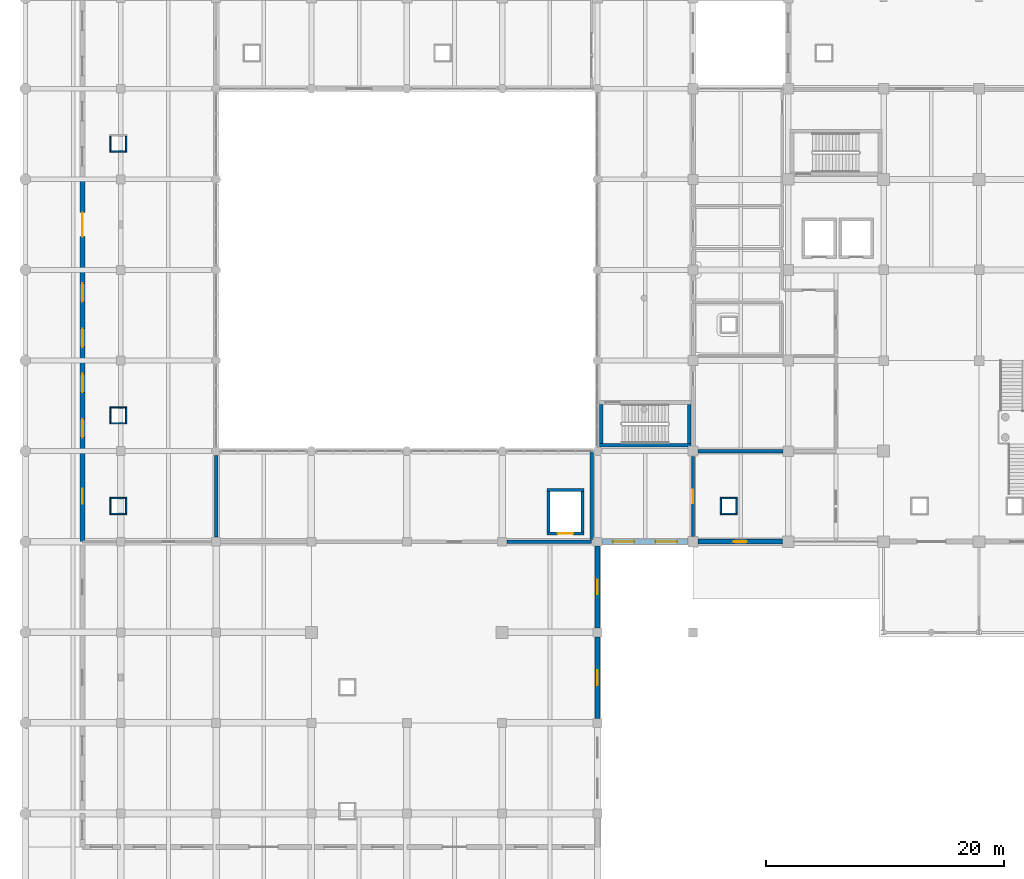
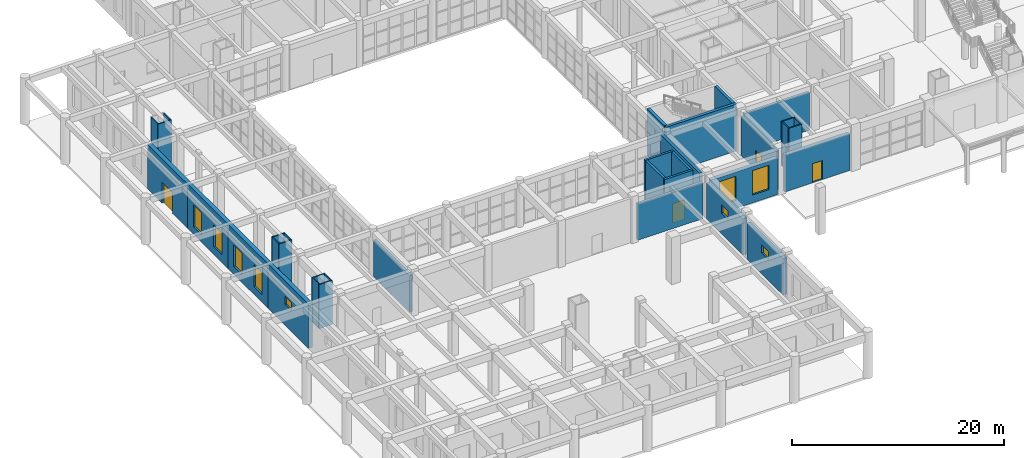
# One storey, part 70 of 95: 35 walls, 9 windows, 4 doors, 13 openings.
"""IFC4 building model written with IfcOpenShell, lengths in metres."""

from ifc_helpers import new_model, si_unit, direction, frame, frame_2d, origin, place, context, subcontext, project, spatial, rectangle, extrude, material, layer, layer_set, type_object, element, fill, save


model = new_model("IFC4")

# Units and contexts
model_context = context("Model", 3, precision=1e-05, world=origin(), true_north=direction((0.0, 1.0)))
body_context = subcontext(model_context, "Body", "Model", "MODEL_VIEW")
ifc_project = project(units=[si_unit("LENGTHUNIT", "METRE"), si_unit("AREAUNIT", "SQUARE_METRE"), si_unit("VOLUMEUNIT", "CUBIC_METRE"), si_unit("PLANEANGLEUNIT", "RADIAN"), si_unit("MASSUNIT", "GRAM", prefix="KILO")], contexts=[model_context])

# Site, building, storey
site_placement = place(None, origin())
site = spatial("IfcSite", under=ifc_project, at=site_placement, CompositionType="ELEMENT")
building_placement = place(site_placement, origin())
building = spatial("IfcBuilding", under=site, at=building_placement, Name="Zantavel Square City Hall", CompositionType="ELEMENT")
storey_placement = place(building_placement, origin())
storey = spatial("IfcBuildingStorey", under=building, at=storey_placement, Name="L01", CompositionType="ELEMENT", Elevation=0.0)

# Walls
ifc_material_1 = material(Name="Concrete C35/45", Category="concrete")
ifc_layer_1 = layer(ifc_material_1, 0.280029296875, Name="Concrete C35/45")
ifc_layer_set_1 = layer_set([ifc_layer_1], Name="Concrete C35/45")
wall_type_1 = type_object("IfcWallType", Name="Archive & Substation Vault Wall 280mm", PredefinedType="STANDARD", material=ifc_layer_set_1)
wall_1_placement = place(storey_placement, frame((47.5, 30.39990234375, 0.0), z_axis=(0.0, 0.0, 1.0), x_axis=(-1.0, 0.0, 0.0)))
element("IfcWall", 1, at=wall_1_placement, inside=storey, type_object=wall_type_1, Name="L01 Interior Wall IW-L01-0095", PredefinedType="STANDARD", context=body_context, shape_type="SweptSolid", body=[
    extrude(rectangle(XDim=7.114990234375, YDim=0.280029296875, at=frame_2d((3.5576171875, 0.0))), origin(), (0.0, 0.0, 1.0), 4.179931640625),
])
wall_2_placement = place(storey_placement, frame((16.0, 30.784912109375, 0.0), z_axis=(0.0, 0.0, 1.0), x_axis=(0.0, 1.0, 0.0)))
element("IfcWall", 2, at=wall_2_placement, inside=storey, type_object=wall_type_1, Name="L01 Interior Wall IW-L01-0099", PredefinedType="STANDARD", context=body_context, shape_type="SweptSolid", body=[
    extrude(rectangle(XDim=6.830078125, YDim=0.280029296875, at=frame_2d((3.4150390625, 0.0))), origin(), (0.0, 0.0, 1.0), 4.179931640625),
])
wall_3_placement = place(storey_placement, frame((47.5, 38.0, 0.0), z_axis=(0.0, 0.0, 1.0), x_axis=(0.0, -1.0, 0.0)))
element("IfcWall", 3, at=wall_3_placement, inside=storey, type_object=wall_type_1, Name="L01 Interior Wall IW-L01-0100", PredefinedType="STANDARD", context=body_context, shape_type="SweptSolid", body=[
    extrude(rectangle(XDim=7.409912109375, YDim=0.280029296875, at=frame_2d((3.705078125, 0.0))), origin(), (0.0, 0.0, 1.0), 5.080078125),
])
wall_4_placement = place(storey_placement, frame((56.43505859375, 38.0, 0.0), z_axis=(0.0, 0.0, 1.0), x_axis=(1.0, 0.0, 0.0)))
element("IfcWall", 4, at=wall_4_placement, inside=storey, type_object=wall_type_1, Name="L01 Interior Wall IW-L01-0119", PredefinedType="STANDARD", context=body_context, shape_type="SweptSolid", body=[
    extrude(rectangle(XDim=7.10498046875, YDim=0.280029296875, at=frame_2d((3.552490234375, 0.0))), origin(), (0.0, 0.0, 1.0), 4.360107421875),
])

# Wall, opening, door
wall_5_placement = place(storey_placement, frame((56.0, 30.8349609375, 0.0), z_axis=(0.0, 0.0, 1.0), x_axis=(0.0, 1.0, 0.0)))
wall_5 = element("IfcWall", 5, at=wall_5_placement, inside=storey, type_object=wall_type_1, Name="L01 Interior Wall IW-L01-0121", PredefinedType="STANDARD", context=body_context, shape_type="SweptSolid", body=[
    extrude(rectangle(XDim=6.72998046875, YDim=0.280029296875, at=frame_2d((3.364990234375, 0.0))), origin(), (0.0, 0.0, 1.0), 4.4599609375),
])
opening_1_placement = place(wall_5_placement, frame((2.7900390625, 0.0, 0.0)))
opening_1 = element("IfcOpeningElement", 6, at=opening_1_placement, cuts=wall_5, Name="Opening D-0045", PredefinedType="OPENING", context=body_context, shape_type="SweptSolid", body=[
    extrude(rectangle(XDim=1.14990234375, YDim=2.199951171875, at=frame_2d((0.574951171875, 1.10009765625))), frame((0.0, 0.14990234375, 0.0), z_axis=(0.0, -1.0, 0.0), x_axis=(1.0, 0.0, 0.0)), (0.0, 0.0, 1.0), 0.300048828125),
])
ifc_material_2 = material(Name="Steel ASTM A500 Grade B", Category="steel")
door_type_1 = type_object("IfcDoorType", Name="Archive & Plant Fire Door 1150x2200 FD90S", OperationType="NOTDEFINED", PredefinedType="DOOR", material=ifc_material_2)
door_1_placement = place(opening_1_placement, origin())
door_1 = element("IfcDoor", 7, at=door_1_placement, inside=storey, type_object=door_type_1, Name="L01 Fire Control Room Door", OperationType="SINGLE_SWING_LEFT", OverallHeight=2.199951171875, OverallWidth=1.14990234375, PredefinedType="DOOR", context=body_context, shape_type="SweptSolid", body=[
    extrude(rectangle(XDim=1.14990234375, YDim=2.199951171875, at=frame_2d((0.574951171875, 1.10009765625))), frame((0.0, 0.02490234375, 0.0), z_axis=(0.0, -1.0, 0.0), x_axis=(1.0, 0.0, 0.0)), (0.0, 0.0, 1.0), 0.050048828125),
])
fill(opening_1, door_1)

# Walls
ifc_material_3 = material(Name="Concrete C40/50", Category="concrete")
ifc_layer_2 = layer(ifc_material_3, 0.320068359375, Name="Concrete C40/50")
ifc_layer_set_2 = layer_set([ifc_layer_2], Name="Concrete C40/50")
wall_type_2 = type_object("IfcWallType", Name="Core Shear Wall RC 320mm C40/50", PredefinedType="SHEAR", material=ifc_layer_set_2)
wall_6_placement = place(storey_placement, frame((55.85009765625, 38.489990234375, 0.0), z_axis=(0.0, 0.0, 1.0), x_axis=(-1.0, 0.0, 0.0)))
element("IfcWall", 8, at=wall_6_placement, inside=storey, type_object=wall_type_2, Name="L01 Exit Stair 3 West Pavilion Core Shear Wall South", PredefinedType="SHEAR", context=body_context, shape_type="SweptSolid", body=[
    extrude(rectangle(XDim=7.7001953125, YDim=0.320068359375, at=frame_2d((3.85009765625, 0.0))), origin(), (0.0, 0.0, 1.0), 5.39990234375),
])
for number, where, z_axis, x_axis, name in (
    (9, (48.31005859375, 38.64990234375, 0.0), (0.0, 0.0, 1.0), (0.0, 1.0, 0.0), "L01 Exit Stair 3 West Pavilion Core Shear Wall West"),
    (10, (55.68994140625, 41.919921875, 0.0), (0.0, 0.0, 1.0), (0.0, -1.0, 0.0), "L01 Exit Stair 3 West Pavilion Core Shear Wall East"),
):
    element("IfcWall", number, at=place(storey_placement, frame(where, z_axis=z_axis, x_axis=x_axis)), inside=storey, type_object=wall_type_2, Name=name, PredefinedType="SHEAR", context=body_context, shape_type="SweptSolid", body=[
        extrude(rectangle(XDim=3.27001953125, YDim=0.320068359375, at=frame_2d((1.635009765625, 0.0))), origin(), (0.0, 0.0, 1.0), 5.39990234375),
    ])

# Wall, opening, door
ifc_material_4 = material(Name="Cantera volcanic tuff stone", Category="masonry")
ifc_layer_3 = layer(ifc_material_4, 0.419921875, Name="Cantera volcanic tuff stone")
ifc_layer_set_3 = layer_set([ifc_layer_3], Name="Cantera volcanic tuff stone")
wall_type_3 = type_object("IfcWallType", Name="Forecourt Colonnade Ashlar Wall 420mm", PredefinedType="STANDARD", material=ifc_layer_set_3)
wall_7_placement = place(storey_placement, frame((63.52490234375, 30.39990234375, 0.0), z_axis=(0.0, 0.0, 1.0), x_axis=(-1.0, 0.0, 0.0)))
wall_7 = element("IfcWall", 11, at=wall_7_placement, inside=storey, type_object=wall_type_3, Name="L01 Exterior Wall EW-L01-081", PredefinedType="STANDARD", context=body_context, shape_type="SweptSolid", body=[
    extrude(rectangle(XDim=7.099853515625, YDim=0.419921875, at=frame_2d((3.5498046875, 0.0))), origin(), (0.0, 0.0, 1.0), 4.2099609375),
])
opening_2_placement = place(wall_7_placement, frame((3.0, 0.0, 0.0)))
opening_2 = element("IfcOpeningElement", 12, at=opening_2_placement, cuts=wall_7, Name="Opening ED-014", PredefinedType="OPENING", context=body_context, shape_type="SweptSolid", body=[
    extrude(rectangle(XDim=1.10009765625, YDim=2.199951171875, at=frame_2d((0.550048828125, 1.10009765625))), frame((0.0, 0.219970703125, 0.0), z_axis=(0.0, -1.0, 0.0), x_axis=(1.0, 0.0, 0.0)), (0.0, 0.0, 1.0), 0.43994140625),
])
door_type_2 = type_object("IfcDoorType", Name="Fire Control Direct Exterior Door 1100x2200", OperationType="NOTDEFINED", PredefinedType="DOOR", material=ifc_material_2)
door_2_placement = place(opening_2_placement, origin())
door_2 = element("IfcDoor", 13, at=door_2_placement, inside=storey, type_object=door_type_2, Name="Fire Control Room Exterior Access Door", OperationType="SINGLE_SWING_LEFT", OverallHeight=2.199951171875, OverallWidth=1.10009765625, PredefinedType="DOOR", context=body_context, shape_type="SweptSolid", body=[
    extrude(rectangle(XDim=1.10009765625, YDim=2.199951171875, at=frame_2d((0.550048828125, 1.10009765625))), frame((0.0, 0.02490234375, 0.0), z_axis=(0.0, -1.0, 0.0), x_axis=(1.0, 0.0, 0.0)), (0.0, 0.0, 1.0), 0.050048828125),
])
fill(opening_2, door_2)

ifc_layer_4 = layer(ifc_material_3, 0.25, Name="Concrete C40/50")
ifc_layer_set_4 = layer_set([ifc_layer_4], Name="Concrete C40/50")
wall_type_4 = type_object("IfcWallType", Name="Lift Shaft Wall RC 250mm C40/50", PredefinedType="SHEAR", material=ifc_layer_set_4)
wall_8_placement = place(storey_placement, frame((46.85009765625, 31.074951171875, 0.0), z_axis=(0.0, 0.0, 1.0), x_axis=(-1.0, 0.0, 0.0)))
wall_8 = element("IfcWall", 14, at=wall_8_placement, inside=storey, type_object=wall_type_4, Name="L01 Lift LF08 Shaft Wall South", PredefinedType="SHEAR", context=body_context, shape_type="SweptSolid", body=[
    extrude(rectangle(XDim=3.10009765625, YDim=0.25, at=frame_2d((1.550048828125, 0.0))), origin(), (0.0, 0.0, 1.0), 5.39990234375),
])
opening_3_placement = place(wall_8_placement, frame((0.89990234375, 0.0, 0.0)))
opening_3 = element("IfcOpeningElement", 15, at=opening_3_placement, cuts=wall_8, Name="Opening LD-LF08-L01", PredefinedType="OPENING", context=body_context, shape_type="SweptSolid", body=[
    extrude(rectangle(XDim=1.300048828125, YDim=2.25, at=frame_2d((0.64990234375, 1.125))), frame((0.0, 0.135009765625, 0.0), z_axis=(0.0, -1.0, 0.0), x_axis=(1.0, 0.0, 0.0)), (0.0, 0.0, 1.0), 0.27001953125),
])
ifc_material_5 = material(Name="Stainless steel 316", Category="steel")
door_type_3 = type_object("IfcDoorType", Name="Goods Lift Landing Sliding Door 1300x2250 FD90S", OperationType="NOTDEFINED", PredefinedType="DOOR", material=ifc_material_5)
door_3_placement = place(opening_3_placement, origin())
door_3 = element("IfcDoor", 16, at=door_3_placement, inside=storey, type_object=door_type_3, Name="L01 Lift LF08 Sliding Landing Door", OperationType="DOUBLE_DOOR_SLIDING", OverallHeight=2.25, OverallWidth=1.300048828125, PredefinedType="DOOR", context=body_context, shape_type="SweptSolid", body=[
    extrude(rectangle(XDim=1.300048828125, YDim=2.25, at=frame_2d((0.64990234375, 1.125))), frame((0.0, 0.02490234375, 0.0), z_axis=(0.0, -1.0, 0.0), x_axis=(1.0, 0.0, 0.0)), (0.0, 0.0, 1.0), 0.050048828125),
])
fill(opening_3, door_3)

# Walls
wall_9_placement = place(storey_placement, frame((43.875, 31.199951171875, 0.0), z_axis=(0.0, 0.0, 1.0), x_axis=(0.0, 1.0, 0.0)))
element("IfcWall", 17, at=wall_9_placement, inside=storey, type_object=wall_type_4, Name="L01 Lift LF08 Shaft Wall West", PredefinedType="SHEAR", context=body_context, shape_type="SweptSolid", body=[
    extrude(rectangle(XDim=3.400146484375, YDim=0.25, at=frame_2d((1.7001953125, 0.0))), origin(), (0.0, 0.0, 1.0), 5.39990234375),
])
wall_10_placement = place(storey_placement, frame((43.75, 34.72509765625, 0.0), z_axis=(0.0, 0.0, 1.0), x_axis=(1.0, 0.0, 0.0)))
element("IfcWall", 18, at=wall_10_placement, inside=storey, type_object=wall_type_4, Name="L01 Lift LF08 Shaft Wall North", PredefinedType="SHEAR", context=body_context, shape_type="SweptSolid", body=[
    extrude(rectangle(XDim=3.10009765625, YDim=0.25, at=frame_2d((1.550048828125, 0.0))), origin(), (0.0, 0.0, 1.0), 5.39990234375),
])
wall_11_placement = place(storey_placement, frame((46.72509765625, 34.60009765625, 0.0), z_axis=(0.0, 0.0, 1.0), x_axis=(0.0, -1.0, 0.0)))
element("IfcWall", 19, at=wall_11_placement, inside=storey, type_object=wall_type_4, Name="L01 Lift LF08 Shaft Wall East", PredefinedType="SHEAR", context=body_context, shape_type="SweptSolid", body=[
    extrude(rectangle(XDim=3.400146484375, YDim=0.25, at=frame_2d((1.7001953125, 0.0))), origin(), (0.0, 0.0, 1.0), 5.39990234375),
])
ifc_layer_5 = layer(ifc_material_1, 0.1201171875, Name="Concrete C35/45")
ifc_layer_set_5 = layer_set([ifc_layer_5], Name="Concrete C35/45")
wall_type_5 = type_object("IfcWallType", Name="Riser Chase Wall RC 120mm C35/45", PredefinedType="PARTITIONING", material=ifc_layer_set_5)
wall_12_placement = place(storey_placement, frame((59.719970703125, 32.739990234375, 0.0), z_axis=(0.0, 0.0, 1.0), x_axis=(-1.0, 0.0, 0.0)))
element("IfcWall", 20, at=wall_12_placement, inside=storey, type_object=wall_type_5, Name="L01 MEP Riser 01 Wall S", PredefinedType="PARTITIONING", context=body_context, shape_type="SweptSolid", body=[
    extrude(rectangle(XDim=1.43994140625, YDim=0.1201171875, at=frame_2d((0.719970703125, 0.0))), origin(), (0.0, 0.0, 1.0), 5.159912109375),
])
wall_13_placement = place(storey_placement, frame((58.340087890625, 32.800048828125, 0.0), z_axis=(0.0, 0.0, 1.0), x_axis=(0.0, 1.0, 0.0)))
element("IfcWall", 21, at=wall_13_placement, inside=storey, type_object=wall_type_5, Name="L01 MEP Riser 01 Wall W", PredefinedType="PARTITIONING", context=body_context, shape_type="SweptSolid", body=[
    extrude(rectangle(XDim=1.199951171875, YDim=0.1201171875, at=frame_2d((0.60009765625, 0.0))), origin(), (0.0, 0.0, 1.0), 5.159912109375),
])
wall_14_placement = place(storey_placement, frame((58.280029296875, 34.06005859375, 0.0), z_axis=(0.0, 0.0, 1.0), x_axis=(1.0, 0.0, 0.0)))
element("IfcWall", 22, at=wall_14_placement, inside=storey, type_object=wall_type_5, Name="L01 MEP Riser 01 Wall N", PredefinedType="PARTITIONING", context=body_context, shape_type="SweptSolid", body=[
    extrude(rectangle(XDim=1.43994140625, YDim=0.1201171875, at=frame_2d((0.719970703125, 0.0))), origin(), (0.0, 0.0, 1.0), 5.159912109375),
])
wall_15_placement = place(storey_placement, frame((59.659912109375, 34.0, 0.0), z_axis=(0.0, 0.0, 1.0), x_axis=(0.0, -1.0, 0.0)))
element("IfcWall", 23, at=wall_15_placement, inside=storey, type_object=wall_type_5, Name="L01 MEP Riser 01 Wall E", PredefinedType="PARTITIONING", context=body_context, shape_type="SweptSolid", body=[
    extrude(rectangle(XDim=1.199951171875, YDim=0.1201171875, at=frame_2d((0.60009765625, 0.0))), origin(), (0.0, 0.0, 1.0), 5.159912109375),
])
wall_16_placement = place(storey_placement, frame((8.52001953125, 32.739990234375, 0.0), z_axis=(0.0, 0.0, 1.0), x_axis=(-1.0, 0.0, 0.0)))
element("IfcWall", 24, at=wall_16_placement, inside=storey, type_object=wall_type_5, Name="L01 MEP Riser 16 Wall S", PredefinedType="PARTITIONING", context=body_context, shape_type="SweptSolid", body=[
    extrude(rectangle(XDim=1.43994140625, YDim=0.1201171875, at=frame_2d((0.719970703125, 0.0))), origin(), (0.0, 0.0, 1.0), 5.080078125),
])
wall_17_placement = place(storey_placement, frame((7.139892578125, 32.800048828125, 0.0), z_axis=(0.0, 0.0, 1.0), x_axis=(0.0, 1.0, 0.0)))
element("IfcWall", 25, at=wall_17_placement, inside=storey, type_object=wall_type_5, Name="L01 MEP Riser 16 Wall W", PredefinedType="PARTITIONING", context=body_context, shape_type="SweptSolid", body=[
    extrude(rectangle(XDim=1.199951171875, YDim=0.1201171875, at=frame_2d((0.60009765625, 0.0))), origin(), (0.0, 0.0, 1.0), 5.14990234375),
])
wall_18_placement = place(storey_placement, frame((7.080078125, 34.06005859375, 0.0), z_axis=(0.0, 0.0, 1.0), x_axis=(1.0, 0.0, 0.0)))
element("IfcWall", 26, at=wall_18_placement, inside=storey, type_object=wall_type_5, Name="L01 MEP Riser 16 Wall N", PredefinedType="PARTITIONING", context=body_context, shape_type="SweptSolid", body=[
    extrude(rectangle(XDim=1.43994140625, YDim=0.1201171875, at=frame_2d((0.719970703125, 0.0))), origin(), (0.0, 0.0, 1.0), 5.080078125),
])
wall_19_placement = place(storey_placement, frame((8.4599609375, 34.0, 0.0), z_axis=(0.0, 0.0, 1.0), x_axis=(0.0, -1.0, 0.0)))
element("IfcWall", 27, at=wall_19_placement, inside=storey, type_object=wall_type_5, Name="L01 MEP Riser 16 Wall E", PredefinedType="PARTITIONING", context=body_context, shape_type="SweptSolid", body=[
    extrude(rectangle(XDim=1.199951171875, YDim=0.1201171875, at=frame_2d((0.60009765625, 0.0))), origin(), (0.0, 0.0, 1.0), 5.080078125),
])
wall_20_placement = place(storey_placement, frame((8.52001953125, 40.340087890625, 0.0), z_axis=(0.0, 0.0, 1.0), x_axis=(-1.0, 0.0, 0.0)))
element("IfcWall", 28, at=wall_20_placement, inside=storey, type_object=wall_type_5, Name="L01 MEP Riser 17 Wall S", PredefinedType="PARTITIONING", context=body_context, shape_type="SweptSolid", body=[
    extrude(rectangle(XDim=1.43994140625, YDim=0.1201171875, at=frame_2d((0.719970703125, 0.0))), origin(), (0.0, 0.0, 1.0), 5.14990234375),
])
wall_21_placement = place(storey_placement, frame((7.139892578125, 40.39990234375, 0.0), z_axis=(0.0, 0.0, 1.0), x_axis=(0.0, 1.0, 0.0)))
element("IfcWall", 29, at=wall_21_placement, inside=storey, type_object=wall_type_5, Name="L01 MEP Riser 17 Wall W", PredefinedType="PARTITIONING", context=body_context, shape_type="SweptSolid", body=[
    extrude(rectangle(XDim=1.2001953125, YDim=0.1201171875, at=frame_2d((0.60009765625, 0.0))), origin(), (0.0, 0.0, 1.0), 5.14990234375),
])
wall_22_placement = place(storey_placement, frame((7.080078125, 41.659912109375, 0.0), z_axis=(0.0, 0.0, 1.0), x_axis=(1.0, 0.0, 0.0)))
element("IfcWall", 30, at=wall_22_placement, inside=storey, type_object=wall_type_5, Name="L01 MEP Riser 17 Wall N", PredefinedType="PARTITIONING", context=body_context, shape_type="SweptSolid", body=[
    extrude(rectangle(XDim=1.43994140625, YDim=0.1201171875, at=frame_2d((0.719970703125, 0.0))), origin(), (0.0, 0.0, 1.0), 5.14990234375),
])
wall_23_placement = place(storey_placement, frame((8.4599609375, 41.60009765625, 0.0), z_axis=(0.0, 0.0, 1.0), x_axis=(0.0, -1.0, 0.0)))
element("IfcWall", 31, at=wall_23_placement, inside=storey, type_object=wall_type_5, Name="L01 MEP Riser 17 Wall E", PredefinedType="PARTITIONING", context=body_context, shape_type="SweptSolid", body=[
    extrude(rectangle(XDim=1.2001953125, YDim=0.1201171875, at=frame_2d((0.60009765625, 0.0))), origin(), (0.0, 0.0, 1.0), 5.159912109375),
])
wall_24_placement = place(storey_placement, frame((8.52001953125, 63.139892578125, 0.0), z_axis=(0.0, 0.0, 1.0), x_axis=(-1.0, 0.0, 0.0)))
element("IfcWall", 32, at=wall_24_placement, inside=storey, type_object=wall_type_5, Name="L01 MEP Riser 18 Wall S", PredefinedType="PARTITIONING", context=body_context, shape_type="SweptSolid", body=[
    extrude(rectangle(XDim=1.43994140625, YDim=0.1201171875, at=frame_2d((0.719970703125, 0.0))), origin(), (0.0, 0.0, 1.0), 5.14990234375),
])
wall_25_placement = place(storey_placement, frame((7.139892578125, 63.199951171875, 0.0), z_axis=(0.0, 0.0, 1.0), x_axis=(0.0, 1.0, 0.0)))
element("IfcWall", 33, at=wall_25_placement, inside=storey, type_object=wall_type_5, Name="L01 MEP Riser 18 Wall W", PredefinedType="PARTITIONING", context=body_context, shape_type="SweptSolid", body=[
    extrude(rectangle(XDim=1.199951171875, YDim=0.1201171875, at=frame_2d((0.60009765625, 0.0))), origin(), (0.0, 0.0, 1.0), 5.14990234375),
])
wall_26_placement = place(storey_placement, frame((8.4599609375, 64.39990234375, 0.0), z_axis=(0.0, 0.0, 1.0), x_axis=(0.0, -1.0, 0.0)))
element("IfcWall", 34, at=wall_26_placement, inside=storey, type_object=wall_type_5, Name="L01 MEP Riser 18 Wall E", PredefinedType="PARTITIONING", context=body_context, shape_type="SweptSolid", body=[
    extrude(rectangle(XDim=1.199951171875, YDim=0.1201171875, at=frame_2d((0.60009765625, 0.0))), origin(), (0.0, 0.0, 1.0), 5.159912109375),
])

# Wall, openings, windows
ifc_material_6 = material(Name="Tezontle volcanic basaltic scoria stone", Category="masonry")
ifc_layer_6 = layer(ifc_material_6, 0.43994140625, Name="Tezontle volcanic basaltic scoria stone")
ifc_layer_set_6 = layer_set([ifc_layer_6], Name="Tezontle volcanic basaltic scoria stone")
wall_type_6 = type_object("IfcWallType", Name="Tezontle Rusticated Plinth Wall 440mm", PredefinedType="STANDARD", material=ifc_layer_set_6)
wall_27_placement = place(storey_placement, frame((55.574951171875, 30.39990234375, 0.0), z_axis=(0.0, 0.0, 1.0), x_axis=(-1.0, 0.0, 0.0)))
wall_27 = element("IfcWall", 35, at=wall_27_placement, inside=storey, type_object=wall_type_6, Name="L01 Exterior Wall EW-L01-082", PredefinedType="STANDARD", context=body_context, shape_type="SweptSolid", body=[
    extrude(rectangle(XDim=7.199951171875, YDim=0.43994140625, at=frame_2d((3.60009765625, 0.0))), origin(), (0.0, 0.0, 1.0), 4.179931640625),
])
opening_4_placement = place(wall_27_placement, frame((0.89990234375, 0.0, 0.89990234375)))
opening_4 = element("IfcOpeningElement", 36, at=opening_4_placement, cuts=wall_27, Name="Opening W-114", PredefinedType="OPENING", context=body_context, shape_type="SweptSolid", body=[
    extrude(rectangle(XDim=1.800048828125, YDim=2.800048828125, at=frame_2d((0.89990234375, 1.39990234375))), frame((0.0, 0.22998046875, 0.0), z_axis=(0.0, -1.0, 0.0), x_axis=(1.0, 0.0, 0.0)), (0.0, 0.0, 1.0), 0.4599609375),
])
opening_5_placement = place(wall_27_placement, frame((4.5, 0.0, 0.89990234375)))
opening_5 = element("IfcOpeningElement", 37, at=opening_5_placement, cuts=wall_27, Name="Opening W-115", PredefinedType="OPENING", context=body_context, shape_type="SweptSolid", body=[
    extrude(rectangle(XDim=1.800048828125, YDim=2.800048828125, at=frame_2d((0.89990234375, 1.39990234375))), frame((0.0, 0.22998046875, 0.0), z_axis=(0.0, -1.0, 0.0), x_axis=(1.0, 0.0, 0.0)), (0.0, 0.0, 1.0), 0.4599609375),
])
ifc_material_7 = material(Name="Tempered safety glass low-E double glazing", Category="glass")
window_type_1 = type_object("IfcWindowType", Name="Window Portales Grand Arch 1800x2800", PartitioningType="DOUBLE_PANEL_VERTICAL", PredefinedType="WINDOW", material=ifc_material_7)
window_1_placement = place(opening_4_placement, origin())
window_1 = element("IfcWindow", 38, at=window_1_placement, inside=storey, type_object=window_type_1, Name="L01 Window W-114", OverallHeight=2.800048828125, OverallWidth=1.800048828125, PartitioningType="DOUBLE_PANEL_VERTICAL", PredefinedType="WINDOW", context=body_context, shape_type="SweptSolid", body=[
    extrude(rectangle(XDim=1.800048828125, YDim=2.800048828125, at=frame_2d((0.89990234375, 1.39990234375))), frame((0.0, 0.030029296875, 0.0), z_axis=(0.0, -1.0, 0.0), x_axis=(1.0, 0.0, 0.0)), (0.0, 0.0, 1.0), 0.06005859375),
])
fill(opening_4, window_1)
window_2_placement = place(opening_5_placement, origin())
window_2 = element("IfcWindow", 39, at=window_2_placement, inside=storey, type_object=window_type_1, Name="L01 Window W-115", OverallHeight=2.800048828125, OverallWidth=1.800048828125, PartitioningType="DOUBLE_PANEL_VERTICAL", PredefinedType="WINDOW", context=body_context, shape_type="SweptSolid", body=[
    extrude(rectangle(XDim=1.800048828125, YDim=2.800048828125, at=frame_2d((0.89990234375, 1.39990234375))), frame((0.0, 0.030029296875, 0.0), z_axis=(0.0, -1.0, 0.0), x_axis=(1.0, 0.0, 0.0)), (0.0, 0.0, 1.0), 0.06005859375),
])
fill(opening_5, window_2)

# Wall, opening, window
wall_28_placement = place(storey_placement, frame((48.0, 30.02490234375, 0.0), z_axis=(0.0, 0.0, 1.0), x_axis=(0.0, -1.0, 0.0)))
wall_28 = element("IfcWall", 40, at=wall_28_placement, inside=storey, type_object=wall_type_6, Name="L01 Exterior Wall EW-L01-083", PredefinedType="STANDARD", context=body_context, shape_type="SweptSolid", body=[
    extrude(rectangle(XDim=6.849853515625, YDim=0.43994140625, at=frame_2d((3.4248046875, 0.0))), origin(), (0.0, 0.0, 1.0), 4.179931640625),
])
opening_6_placement = place(wall_28_placement, frame((2.800048828125, 0.0, 2.39990234375)))
opening_6 = element("IfcOpeningElement", 41, at=opening_6_placement, cuts=wall_28, Name="Opening W-116", PredefinedType="OPENING", context=body_context, shape_type="SweptSolid", body=[
    extrude(rectangle(XDim=1.25, YDim=0.949951171875, at=frame_2d((0.625, 0.47509765625))), frame((0.0, 0.22998046875, 0.0), z_axis=(0.0, -1.0, 0.0), x_axis=(1.0, 0.0, 0.0)), (0.0, 0.0, 1.0), 0.4599609375),
])
window_type_2 = type_object("IfcWindowType", Name="Window Archive High Clerestory 1250x950", PartitioningType="SINGLE_PANEL", PredefinedType="WINDOW", material=ifc_material_7)
window_3_placement = place(opening_6_placement, origin())
window_3 = element("IfcWindow", 42, at=window_3_placement, inside=storey, type_object=window_type_2, Name="L01 Window W-116", OverallHeight=0.949951171875, OverallWidth=1.25, PartitioningType="SINGLE_PANEL", PredefinedType="WINDOW", context=body_context, shape_type="SweptSolid", body=[
    extrude(rectangle(XDim=1.25, YDim=0.949951171875, at=frame_2d((0.625, 0.47509765625))), frame((0.0, 0.030029296875, 0.0), z_axis=(0.0, -1.0, 0.0), x_axis=(1.0, 0.0, 0.0)), (0.0, 0.0, 1.0), 0.06005859375),
])
fill(opening_6, window_3)

wall_29_placement = place(storey_placement, frame((48.0, 22.425048828125, 0.0), z_axis=(0.0, 0.0, 1.0), x_axis=(0.0, -1.0, 0.0)))
wall_29 = element("IfcWall", 43, at=wall_29_placement, inside=storey, type_object=wall_type_6, Name="L01 Exterior Wall EW-L01-084", PredefinedType="STANDARD", context=body_context, shape_type="SweptSolid", body=[
    extrude(rectangle(XDim=6.85009765625, YDim=0.43994140625, at=frame_2d((3.425048828125, 0.0))), origin(), (0.0, 0.0, 1.0), 4.179931640625),
])
opening_7_placement = place(wall_29_placement, frame((2.800048828125, 0.0, 2.39990234375)))
opening_7 = element("IfcOpeningElement", 44, at=opening_7_placement, cuts=wall_29, Name="Opening W-117", PredefinedType="OPENING", context=body_context, shape_type="SweptSolid", body=[
    extrude(rectangle(XDim=1.25, YDim=0.949951171875, at=frame_2d((0.625, 0.47509765625))), frame((0.0, 0.22998046875, 0.0), z_axis=(0.0, -1.0, 0.0), x_axis=(1.0, 0.0, 0.0)), (0.0, 0.0, 1.0), 0.4599609375),
])
window_4_placement = place(opening_7_placement, origin())
window_4 = element("IfcWindow", 45, at=window_4_placement, inside=storey, type_object=window_type_2, Name="L01 Window W-117", OverallHeight=0.949951171875, OverallWidth=1.25, PartitioningType="SINGLE_PANEL", PredefinedType="WINDOW", context=body_context, shape_type="SweptSolid", body=[
    extrude(rectangle(XDim=1.25, YDim=0.949951171875, at=frame_2d((0.625, 0.47509765625))), frame((0.0, 0.030029296875, 0.0), z_axis=(0.0, -1.0, 0.0), x_axis=(1.0, 0.0, 0.0)), (0.0, 0.0, 1.0), 0.06005859375),
])
fill(opening_7, window_4)

wall_30_placement = place(storey_placement, frame((4.800048828125, 30.39990234375, 0.0), z_axis=(0.0, 0.0, 1.0), x_axis=(0.0, 1.0, 0.0)))
wall_30 = element("IfcWall", 46, at=wall_30_placement, inside=storey, type_object=wall_type_6, Name="L01 Exterior Wall EW-L01-097", PredefinedType="STANDARD", context=body_context, shape_type="SweptSolid", body=[
    extrude(rectangle(XDim=7.60009765625, YDim=0.43994140625, at=frame_2d((3.800048828125, 0.0))), origin(), (0.0, 0.0, 1.0), 5.1201171875),
])
opening_8_placement = place(wall_30_placement, frame((3.175048828125, 0.0, 2.39990234375)))
opening_8 = element("IfcOpeningElement", 47, at=opening_8_placement, cuts=wall_30, Name="Opening W-132", PredefinedType="OPENING", context=body_context, shape_type="SweptSolid", body=[
    extrude(rectangle(XDim=1.25, YDim=0.949951171875, at=frame_2d((0.625, 0.47509765625))), frame((0.0, 0.22998046875, 0.0), z_axis=(0.0, -1.0, 0.0), x_axis=(1.0, 0.0, 0.0)), (0.0, 0.0, 1.0), 0.4599609375),
])
window_5_placement = place(opening_8_placement, origin())
window_5 = element("IfcWindow", 48, at=window_5_placement, inside=storey, type_object=window_type_2, Name="L01 Window W-132", OverallHeight=0.949951171875, OverallWidth=1.25, PartitioningType="SINGLE_PANEL", PredefinedType="WINDOW", context=body_context, shape_type="SweptSolid", body=[
    extrude(rectangle(XDim=1.25, YDim=0.949951171875, at=frame_2d((0.625, 0.47509765625))), frame((0.0, 0.030029296875, 0.0), z_axis=(0.0, -1.0, 0.0), x_axis=(1.0, 0.0, 0.0)), (0.0, 0.0, 1.0), 0.06005859375),
])
fill(opening_8, window_5)

# Wall, openings, windows
wall_31_placement = place(storey_placement, frame((4.800048828125, 38.0, 0.0), z_axis=(0.0, 0.0, 1.0), x_axis=(0.0, 1.0, 0.0)))
wall_31 = element("IfcWall", 49, at=wall_31_placement, inside=storey, type_object=wall_type_6, Name="L01 Exterior Wall EW-L01-098", PredefinedType="STANDARD", context=body_context, shape_type="SweptSolid", body=[
    extrude(rectangle(XDim=7.60009765625, YDim=0.43994140625, at=frame_2d((3.800048828125, 0.0))), origin(), (0.0, 0.0, 1.0), 5.1201171875),
])
opening_9_placement = place(wall_31_placement, frame((1.125, 0.0, 0.89990234375)))
opening_9 = element("IfcOpeningElement", 50, at=opening_9_placement, cuts=wall_31, Name="Opening W-133", PredefinedType="OPENING", context=body_context, shape_type="SweptSolid", body=[
    extrude(rectangle(XDim=1.550048828125, YDim=2.5, at=frame_2d((0.77490234375, 1.25))), frame((0.0, 0.22998046875, 0.0), z_axis=(0.0, -1.0, 0.0), x_axis=(1.0, 0.0, 0.0)), (0.0, 0.0, 1.0), 0.4599609375),
])
opening_10_placement = place(wall_31_placement, frame((4.925048828125, 0.0, 0.89990234375)))
opening_10 = element("IfcOpeningElement", 51, at=opening_10_placement, cuts=wall_31, Name="Opening W-134", PredefinedType="OPENING", context=body_context, shape_type="SweptSolid", body=[
    extrude(rectangle(XDim=1.550048828125, YDim=2.5, at=frame_2d((0.77490234375, 1.25))), frame((0.0, 0.22998046875, 0.0), z_axis=(0.0, -1.0, 0.0), x_axis=(1.0, 0.0, 0.0)), (0.0, 0.0, 1.0), 0.4599609375),
])
window_type_3 = type_object("IfcWindowType", Name="Window Ground Annex 1550x2500", PartitioningType="DOUBLE_PANEL_VERTICAL", PredefinedType="WINDOW", material=ifc_material_7)
window_6_placement = place(opening_9_placement, origin())
window_6 = element("IfcWindow", 52, at=window_6_placement, inside=storey, type_object=window_type_3, Name="L01 Window W-133", OverallHeight=2.5, OverallWidth=1.550048828125, PartitioningType="DOUBLE_PANEL_VERTICAL", PredefinedType="WINDOW", context=body_context, shape_type="SweptSolid", body=[
    extrude(rectangle(XDim=1.550048828125, YDim=2.5, at=frame_2d((0.77490234375, 1.25))), frame((0.0, 0.030029296875, 0.0), z_axis=(0.0, -1.0, 0.0), x_axis=(1.0, 0.0, 0.0)), (0.0, 0.0, 1.0), 0.06005859375),
])
fill(opening_9, window_6)
window_7_placement = place(opening_10_placement, origin())
window_7 = element("IfcWindow", 53, at=window_7_placement, inside=storey, type_object=window_type_3, Name="L01 Window W-134", OverallHeight=2.5, OverallWidth=1.550048828125, PartitioningType="DOUBLE_PANEL_VERTICAL", PredefinedType="WINDOW", context=body_context, shape_type="SweptSolid", body=[
    extrude(rectangle(XDim=1.550048828125, YDim=2.5, at=frame_2d((0.77490234375, 1.25))), frame((0.0, 0.030029296875, 0.0), z_axis=(0.0, -1.0, 0.0), x_axis=(1.0, 0.0, 0.0)), (0.0, 0.0, 1.0), 0.06005859375),
])
fill(opening_10, window_7)

wall_32_placement = place(storey_placement, frame((4.800048828125, 45.60009765625, 0.0), z_axis=(0.0, 0.0, 1.0), x_axis=(0.0, 1.0, 0.0)))
wall_32 = element("IfcWall", 54, at=wall_32_placement, inside=storey, type_object=wall_type_6, Name="L01 Exterior Wall EW-L01-099", PredefinedType="STANDARD", context=body_context, shape_type="SweptSolid", body=[
    extrude(rectangle(XDim=7.599853515625, YDim=0.43994140625, at=frame_2d((3.7998046875, 0.0))), origin(), (0.0, 0.0, 1.0), 5.1201171875),
])
opening_11_placement = place(wall_32_placement, frame((1.125, 0.0, 0.89990234375)))
opening_11 = element("IfcOpeningElement", 55, at=opening_11_placement, cuts=wall_32, Name="Opening W-135", PredefinedType="OPENING", context=body_context, shape_type="SweptSolid", body=[
    extrude(rectangle(XDim=1.550048828125, YDim=2.5, at=frame_2d((0.77490234375, 1.25))), frame((0.0, 0.22998046875, 0.0), z_axis=(0.0, -1.0, 0.0), x_axis=(1.0, 0.0, 0.0)), (0.0, 0.0, 1.0), 0.4599609375),
])
opening_12_placement = place(wall_32_placement, frame((4.925048828125, 0.0, 0.89990234375)))
opening_12 = element("IfcOpeningElement", 56, at=opening_12_placement, cuts=wall_32, Name="Opening W-136", PredefinedType="OPENING", context=body_context, shape_type="SweptSolid", body=[
    extrude(rectangle(XDim=1.550048828125, YDim=2.5, at=frame_2d((0.77490234375, 1.25))), frame((0.0, 0.22998046875, 0.0), z_axis=(0.0, -1.0, 0.0), x_axis=(1.0, 0.0, 0.0)), (0.0, 0.0, 1.0), 0.4599609375),
])
window_8_placement = place(opening_11_placement, origin())
window_8 = element("IfcWindow", 57, at=window_8_placement, inside=storey, type_object=window_type_3, Name="L01 Window W-135", OverallHeight=2.5, OverallWidth=1.550048828125, PartitioningType="DOUBLE_PANEL_VERTICAL", PredefinedType="WINDOW", context=body_context, shape_type="SweptSolid", body=[
    extrude(rectangle(XDim=1.550048828125, YDim=2.5, at=frame_2d((0.77490234375, 1.25))), frame((0.0, 0.030029296875, 0.0), z_axis=(0.0, -1.0, 0.0), x_axis=(1.0, 0.0, 0.0)), (0.0, 0.0, 1.0), 0.06005859375),
])
fill(opening_11, window_8)
window_9_placement = place(opening_12_placement, origin())
window_9 = element("IfcWindow", 58, at=window_9_placement, inside=storey, type_object=window_type_3, Name="L01 Window W-136", OverallHeight=2.5, OverallWidth=1.550048828125, PartitioningType="DOUBLE_PANEL_VERTICAL", PredefinedType="WINDOW", context=body_context, shape_type="SweptSolid", body=[
    extrude(rectangle(XDim=1.550048828125, YDim=2.5, at=frame_2d((0.77490234375, 1.25))), frame((0.0, 0.030029296875, 0.0), z_axis=(0.0, -1.0, 0.0), x_axis=(1.0, 0.0, 0.0)), (0.0, 0.0, 1.0), 0.06005859375),
])
fill(opening_12, window_9)

# Wall, opening, door
wall_33_placement = place(storey_placement, frame((4.800048828125, 53.199951171875, 0.0), z_axis=(0.0, 0.0, 1.0), x_axis=(0.0, 1.0, 0.0)))
wall_33 = element("IfcWall", 59, at=wall_33_placement, inside=storey, type_object=wall_type_6, Name="L01 Exterior Wall EW-L01-100", PredefinedType="STANDARD", context=body_context, shape_type="SweptSolid", body=[
    extrude(rectangle(XDim=7.60009765625, YDim=0.43994140625, at=frame_2d((3.800048828125, 0.0))), origin(), (0.0, 0.0, 1.0), 5.1201171875),
])
opening_13_placement = place(wall_33_placement, frame((2.800048828125, 0.0, 0.0)))
opening_13 = element("IfcOpeningElement", 60, at=opening_13_placement, cuts=wall_33, Name="Opening ED-017", PredefinedType="OPENING", context=body_context, shape_type="SweptSolid", body=[
    extrude(rectangle(XDim=2.0, YDim=2.39990234375, at=frame_2d((1.0, 1.199951171875))), frame((0.0, 0.22998046875, 0.0), z_axis=(0.0, -1.0, 0.0), x_axis=(1.0, 0.0, 0.0)), (0.0, 0.0, 1.0), 0.4599609375),
])
ifc_material_8 = material(Name="Anodised aluminium 6063-T6", Category="aluminium")
door_type_4 = type_object("IfcDoorType", Name="Plaza Final Exit Double Door 2000x2400", OperationType="NOTDEFINED", PredefinedType="DOOR", material=ifc_material_8)
door_4_placement = place(opening_13_placement, origin())
door_4 = element("IfcDoor", 61, at=door_4_placement, inside=storey, type_object=door_type_4, Name="West Exhibition Gallery Portales Exit", OperationType="DOUBLE_DOOR_SINGLE_SWING", OverallHeight=2.39990234375, OverallWidth=2.0, PredefinedType="DOOR", context=body_context, shape_type="SweptSolid", body=[
    extrude(rectangle(XDim=2.0, YDim=2.39990234375, at=frame_2d((1.0, 1.199951171875))), frame((0.0, 0.02490234375, 0.0), z_axis=(0.0, -1.0, 0.0), x_axis=(1.0, 0.0, 0.0)), (0.0, 0.0, 1.0), 0.050048828125),
])
fill(opening_13, door_4)

save(model, "model.ifc")
